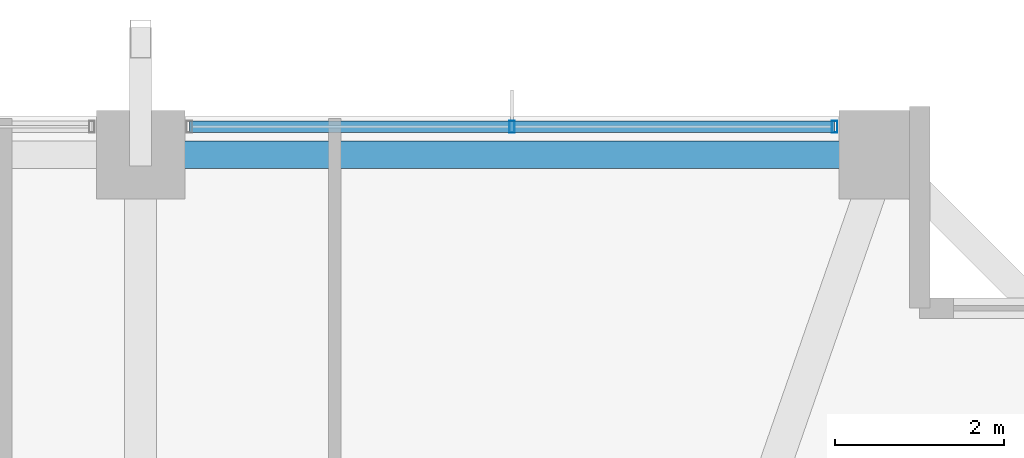
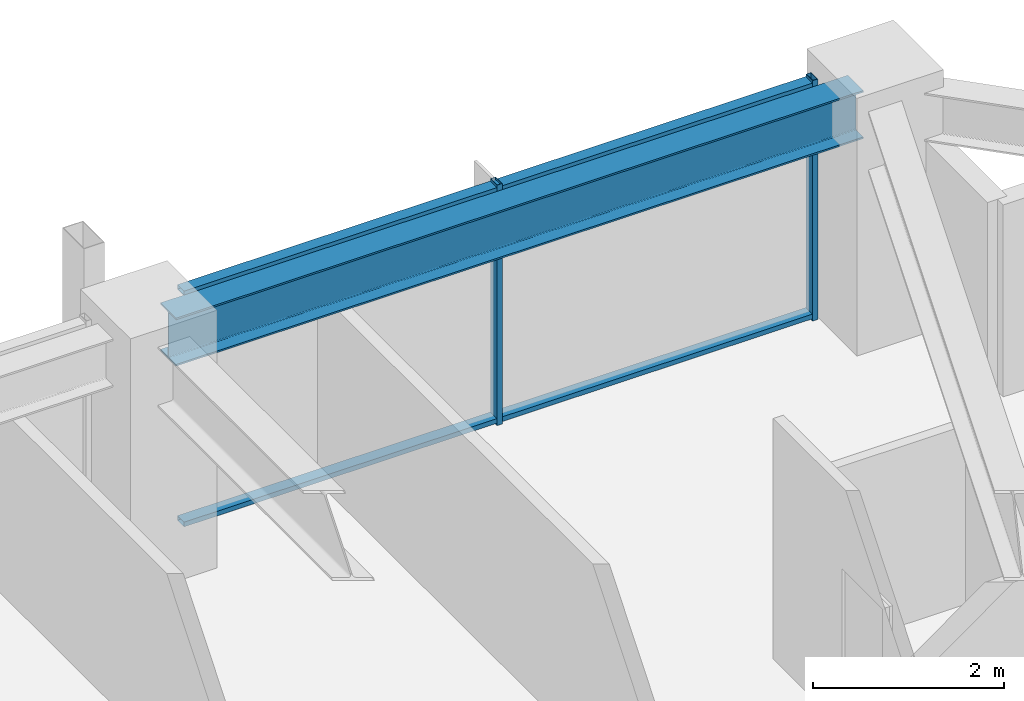
# One storey, part 24 of 37: 4 members, 1 beam, 1 element without a shape of its own.
"""IFC4 building model written with IfcOpenShell, lengths in metres."""

from ifc_helpers import new_model, si_unit, direction, frame, origin, origin_2d, place, context, subcontext, project, spatial, hollow_rectangle, i_section, extrude, material, material_profile, profile_set, type_object, element, aggregate, save


model = new_model("IFC4")

# Units and contexts
model_context = context("Model", 3, precision=1e-05, world=origin(), true_north=direction((0.0, 1.0)))
body_context = subcontext(model_context, "Body", "Model", "MODEL_VIEW")
ifc_project = project(units=[si_unit("LENGTHUNIT", "METRE"), si_unit("AREAUNIT", "SQUARE_METRE"), si_unit("VOLUMEUNIT", "CUBIC_METRE"), si_unit("PLANEANGLEUNIT", "RADIAN"), si_unit("MASSUNIT", "GRAM", prefix="KILO")], contexts=[model_context])

# Site, building, storey
site_placement = place(None, origin())
site = spatial("IfcSite", under=ifc_project, at=site_placement, CompositionType="ELEMENT")
building_placement = place(site_placement, origin())
building = spatial("IfcBuilding", under=site, at=building_placement, Name="Kolvaren Belvedere", CompositionType="ELEMENT")
storey_placement = place(building_placement, frame((0.0, 0.0, 75.5)))
storey = spatial("IfcBuildingStorey", under=building, at=storey_placement, Name="L21", CompositionType="ELEMENT", Elevation=75.5)

# Beam
ifc_material_1 = material(Name="Structural steel ASTM A992 Grade 50", Category="steel")
ifc_material_profile_1 = material_profile(ifc_material_1, i_section(OverallWidth=0.324951171875, OverallDepth=0.615966796875, WebThickness=0.013916015625, FlangeThickness=0.021484375, FilletRadius=0.02001953125, at=origin_2d()), Name="W24X117")
ifc_profile_set_1 = profile_set([ifc_material_profile_1], Name="Structural steel ASTM A992 Grade 50")
beam_type = type_object("IfcBeamType", Name="BM-SPAN-W24X117", PredefinedType="SPANDREL", material=ifc_profile_set_1)
beam_placement = place(storey_placement, frame((13.163818359375, 19.949951171875, 2.77197265625), z_axis=(-1.0, 0.0, 0.0), x_axis=(0.0, -1.0, 0.0)))
element("IfcBeam", 1, at=beam_placement, inside=storey, type_object=beam_type, Name="L21 Perimeter Spandrel N4-N3", PredefinedType="SPANDREL", context=body_context, shape_type="SweptSolid", body=[
    extrude(i_section(OverallWidth=0.324951171875, OverallDepth=0.615966796875, WebThickness=0.013916015625, FlangeThickness=0.021484375, FilletRadius=0.02001953125, at=origin_2d()), origin(), (0.0, 0.0, 1.0), 8.32763671875),
])

# Curtain wall, members
ifc_material_2 = material(Name="Anodised pale-metal aluminium AA 6063-T6", Category="aluminium")
curtain_wall_type = type_object("IfcCurtainWallType", Name="CW-Z2-MID", PredefinedType="NOTDEFINED", material=ifc_material_2)
curtain_wall_placement = place(storey_placement, origin())
curtain_wall = element("IfcCurtainWall", 2, at=curtain_wall_placement, inside=storey, type_object=curtain_wall_type, Name="L21 Unitised Curtain Wall FCW-L21-N-B3", PredefinedType="NOTDEFINED")
ifc_material_3 = material(Name="Anodised pale-metal aluminium AA 6063-T6", Category="aluminium")
ifc_material_profile_2 = material_profile(ifc_material_3, hollow_rectangle(XDim=0.06494140625, YDim=0.139892578125, WallThickness=0.00390625, at=origin_2d()), Name="ALU-MUL-140X65")
ifc_profile_set_2 = profile_set([ifc_material_profile_2], Name="Anodised pale-metal aluminium AA 6063-T6")
member_type_1 = type_object("IfcMemberType", Name="CW-MUL-140", PredefinedType="MULLION", material=ifc_profile_set_2)
member_1_placement = place(storey_placement, frame((9.0, 20.280029296875, 0.0), z_axis=(0.0, 0.0, 1.0), x_axis=(1.0, 0.0, 0.0)))
member_1 = element("IfcMember", 3, at=member_1_placement, type_object=member_type_1, Name="FCW-L21-N-B3 Unitised Mullion 2", PredefinedType="MULLION", context=body_context, shape_type="SweptSolid", body=[
    extrude(hollow_rectangle(XDim=0.06494140625, YDim=0.139892578125, WallThickness=0.00390625, at=origin_2d()), origin(), (0.0, 0.0, 1.0), 3.080078125),
])
member_2_placement = place(storey_placement, frame((12.822509765625, 20.280029296875, 0.0), z_axis=(0.0, 0.0, 1.0), x_axis=(1.0, 0.0, 0.0)))
member_2 = element("IfcMember", 4, at=member_2_placement, type_object=member_type_1, Name="FCW-L21-N-B3 Unitised Mullion 3", PredefinedType="MULLION", context=body_context, shape_type="SweptSolid", body=[
    extrude(hollow_rectangle(XDim=0.06494140625, YDim=0.139892578125, WallThickness=0.00390625, at=origin_2d()), origin(), (0.0, 0.0, 1.0), 3.080078125),
])
ifc_material_4 = material(Name="Anodised pale-metal aluminium AA 6063-T6", Category="aluminium")
ifc_material_profile_3 = material_profile(ifc_material_4, hollow_rectangle(XDim=0.06005859375, YDim=0.139892578125, WallThickness=0.00390625, at=origin_2d()), Name="ALU-TRN-140X60")
ifc_profile_set_3 = profile_set([ifc_material_profile_3], Name="Anodised pale-metal aluminium AA 6063-T6")
member_type_2 = type_object("IfcMemberType", Name="CW-TRN-140", PredefinedType="USERDEFINED", material=ifc_profile_set_3)
member_3_placement = place(storey_placement, frame((5.177490234375, 20.280029296875, 0.06005859375), z_axis=(1.0, 0.0, 0.0), x_axis=(0.0, 0.0, 1.0)))
member_3 = element("IfcMember", 5, at=member_3_placement, type_object=member_type_2, Name="FCW-L21-N-B3 Sill Transom", ObjectType="TRANSOM", PredefinedType="USERDEFINED", context=body_context, shape_type="SweptSolid", body=[
    extrude(hollow_rectangle(XDim=0.06005859375, YDim=0.139892578125, WallThickness=0.00390625, at=origin_2d()), origin(), (0.0, 0.0, 1.0), 7.64501953125),
])
member_4_placement = place(storey_placement, frame((5.177490234375, 20.280029296875, 3.02001953125), z_axis=(1.0, 0.0, 0.0), x_axis=(0.0, 0.0, 1.0)))
member_4 = element("IfcMember", 6, at=member_4_placement, type_object=member_type_2, Name="FCW-L21-N-B3 Head Transom", ObjectType="TRANSOM", PredefinedType="USERDEFINED", context=body_context, shape_type="SweptSolid", body=[
    extrude(hollow_rectangle(XDim=0.06005859375, YDim=0.139892578125, WallThickness=0.00390625, at=origin_2d()), origin(), (0.0, 0.0, 1.0), 7.64501953125),
])
aggregate(curtain_wall, [member_1, member_2, member_3, member_4])

save(model, "model.ifc")
